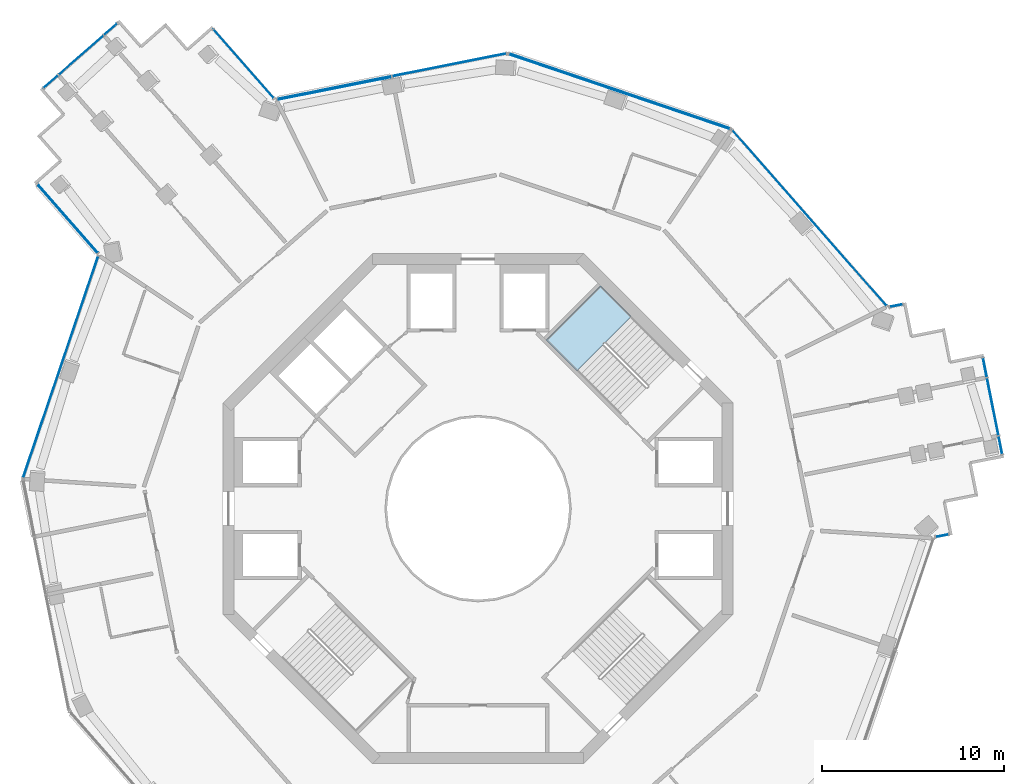
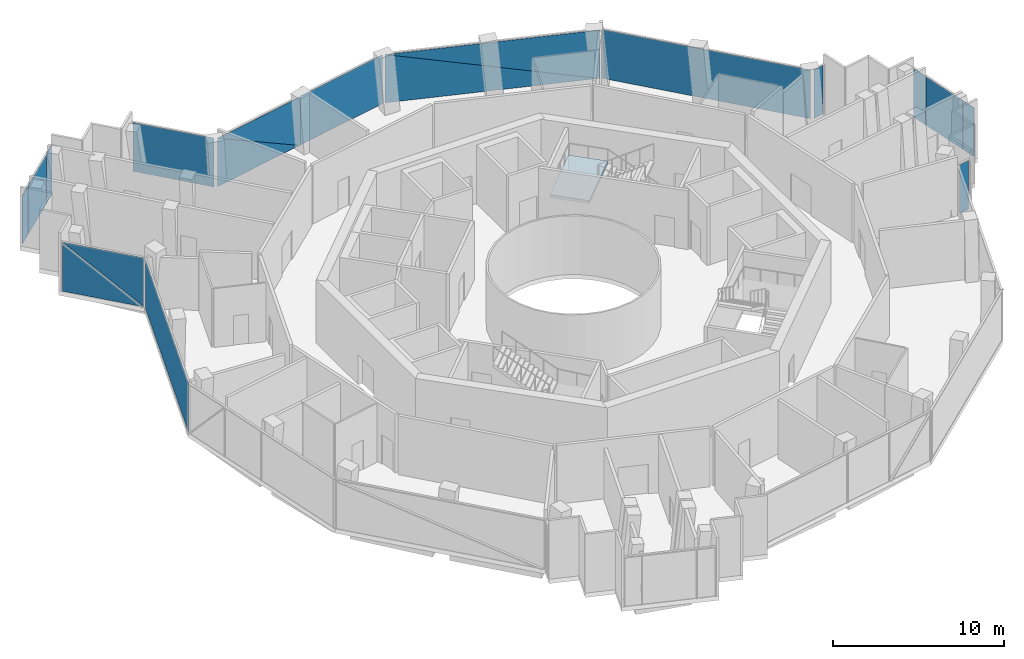
# One storey, part 10 of 17: 18 plates, 1 slab, 11 elements without a shape of their own.
"""IFC4 building model written with IfcOpenShell, lengths in metres."""

import ifcopenshell
import ifcopenshell.guid

model = None  # the IFC model being written
_history = None  # IfcOwnerHistory: only IFC2X3 demands one
_inside = {}  # id of a spatial element -> (the spatial element, [elements in it])
_under = {}  # id of a project, library or spatial element -> (it, [spatial elements below it])
_declared = {}  # id of a project -> (the project, [libraries it declares])
_typed = {}  # id of a type object -> (the type object, [elements of that type])
_made_of = {}  # id of a material, layer set ... -> (it, [elements and type objects made of it])


def new_model(schema):
    """Start an empty IFC model of exactly this schema.

    Asked for "IFC4X3", IfcOpenShell would pick the latest addendum, in which some entities
    have other attributes; the version numbers below select the first issue.
    IFC2X3 requires an IfcOwnerHistory on every rooted entity: one is made here for all.
    """
    global model, _history
    if schema == "IFC4X3":
        model = ifcopenshell.file(schema_version=(4, 3, 0, 0))
    else:
        model = ifcopenshell.file(schema=schema)
    _inside.clear()
    _under.clear()
    _declared.clear()
    _typed.clear()
    _made_of.clear()
    _history = None
    if model.schema == "IFC2X3":
        org = make("IfcOrganization", Name="unknown")
        user = make(
            "IfcPersonAndOrganization",
            ThePerson=make("IfcPerson", FamilyName="unknown"),
            TheOrganization=org,
        )
        app = make(
            "IfcApplication",
            ApplicationDeveloper=org,
            Version="unknown",
            ApplicationFullName="unknown",
            ApplicationIdentifier="unknown",
        )
        _history = make(
            "IfcOwnerHistory",
            OwningUser=user,
            OwningApplication=app,
            ChangeAction="ADDED",
            CreationDate=0,
        )
    return model


def make(cls, **values):
    """One entity of the class cls with the attributes given. An attribute that is None is left unset."""
    return model.create_entity(
        cls, **{name: value for name, value in values.items() if value is not None}
    )


def rooted(cls, **values):
    """An entity with a GlobalId (a new one), such as an element, a storey or a relation."""
    return make(cls, GlobalId=ifcopenshell.guid.new(), OwnerHistory=_history, **values)


def si_unit(unit_type, name, prefix=None):
    """IfcSIUnit, for example si_unit("LENGTHUNIT", "METRE", prefix="MILLI")."""
    return make("IfcSIUnit", UnitType=unit_type, Prefix=prefix, Name=name)


def assignment(units):
    """IfcUnitAssignment: the units of a project."""
    return None if units is None else make("IfcUnitAssignment", Units=units)


def point(xyz):
    """IfcCartesianPoint."""
    return None if xyz is None else make("IfcCartesianPoint", Coordinates=xyz)


def direction(xyz):
    """IfcDirection."""
    return None if xyz is None else make("IfcDirection", DirectionRatios=xyz)


def frame(location, z_axis=None, x_axis=None):
    """IfcAxis2Placement3D, a coordinate frame: its origin and axes. An axis left out is left unset."""
    return make(
        "IfcAxis2Placement3D",
        Location=point(location),
        Axis=direction(z_axis),
        RefDirection=direction(x_axis),
    )


def frame_2d(location, x_axis=None):
    """IfcAxis2Placement2D, a coordinate frame in the plane: its origin and x axis."""
    return make(
        "IfcAxis2Placement2D", Location=point(location), RefDirection=direction(x_axis)
    )


def origin():
    """The frame at (0, 0, 0) with its axes left unset."""
    return frame((0.0, 0.0, 0.0))


def origin_2d():
    """The frame at (0, 0) in the plane with its x axis left unset."""
    return frame_2d((0.0, 0.0))


def place(relative_to, where):
    """IfcLocalPlacement: puts the frame where relative to a parent placement (None: the world)."""
    return make(
        "IfcLocalPlacement", PlacementRelTo=relative_to, RelativePlacement=where
    )


def context(
    kind, dimensions, precision=None, world=None, true_north=None, identifier=None
):
    """IfcGeometricRepresentationContext, for example the 3D "Model" context."""
    return make(
        "IfcGeometricRepresentationContext",
        ContextIdentifier=identifier,
        ContextType=kind,
        CoordinateSpaceDimension=dimensions,
        Precision=precision,
        WorldCoordinateSystem=world,
        TrueNorth=true_north,
    )


def subcontext(parent, identifier, kind, view, scale=None):
    """IfcGeometricRepresentationSubContext, for example "Body" below "Model"."""
    return make(
        "IfcGeometricRepresentationSubContext",
        ContextIdentifier=identifier,
        ContextType=kind,
        ParentContext=parent,
        TargetScale=scale,
        TargetView=view,
    )


def project(units=None, contexts=None):
    """IfcProject with its units and contexts."""
    return rooted(
        "IfcProject",
        Name="project",
        RepresentationContexts=contexts,
        UnitsInContext=assignment(units),
    )


def spatial(cls, under=None, at=None, **own):
    """A site, building, storey or space (cls), placed at a placement, below another one or the project."""
    s = rooted(cls, ObjectPlacement=at, **own)
    if under is not None:
        _under.setdefault(under.id(), (under, []))[1].append(s)
    return s


def polyline(points):
    """IfcPolyline through the points."""
    return make("IfcPolyline", Points=[point(p) for p in points])


def profile(cls, at=None, kind="AREA", **sizes):
    """A parametric profile (cls). Its sizes go by their IFC names, for example OverallWidth=200.0."""
    return make(cls, ProfileType=kind, Position=at, **sizes)


def rectangle(**sizes):
    """IfcRectangleProfileDef."""
    return profile("IfcRectangleProfileDef", **sizes)


def outline(outer, holes=None, kind="AREA"):
    """IfcArbitraryClosedProfileDef: a profile drawn as a closed curve; with holes, ...WithVoids."""
    if holes is None:
        return make("IfcArbitraryClosedProfileDef", ProfileType=kind, OuterCurve=outer)
    return make(
        "IfcArbitraryProfileDefWithVoids",
        ProfileType=kind,
        OuterCurve=outer,
        InnerCurves=holes,
    )


def extrude(swept, where, along, depth):
    """IfcExtrudedAreaSolid: the profile swept, set in the frame where, extruded along a direction by depth."""
    return make(
        "IfcExtrudedAreaSolid",
        SweptArea=swept,
        Position=where,
        ExtrudedDirection=direction(along),
        Depth=depth,
    )


def shape(context_of_items, identifier, shape_type, items):
    """IfcShapeRepresentation: the items that make up one representation, for example the "Body"."""
    return make(
        "IfcShapeRepresentation",
        ContextOfItems=context_of_items,
        RepresentationIdentifier=identifier,
        RepresentationType=shape_type,
        Items=items,
    )


def material(Name=None, Category=None):
    """IfcMaterial."""
    return make("IfcMaterial", Name=Name, Category=Category)


def layer(
    of_material, thickness, ventilated=None, Name=None, Category=None, Priority=None
):
    """IfcMaterialLayer: one layer of a wall or slab, of a material (None: an air gap)."""
    return make(
        "IfcMaterialLayer",
        Material=of_material,
        LayerThickness=thickness,
        IsVentilated=ventilated,
        Name=Name,
        Category=Category,
        Priority=Priority,
    )


def layer_set(layers, Name=None):
    """IfcMaterialLayerSet."""
    return make("IfcMaterialLayerSet", MaterialLayers=layers, LayerSetName=Name)


def made_of(thing, what):
    """Note that an element or type object is made of a material, layer set ...; save() writes the relation."""
    if what is not None:
        _made_of.setdefault(what.id(), (what, []))[1].append(thing)
    return thing


def type_object(cls, material=None, **own):
    """A type object (cls), such as IfcWallType, which elements share."""
    return made_of(rooted(cls, **own), material)


def element(
    cls,
    number,
    at=None,
    inside=None,
    cuts=None,
    type_object=None,
    material=None,
    context=None,
    identifier="Body",
    shape_type=None,
    held_by="IfcProductDefinitionShape",
    body=None,
    shapes=None,
    **own,
):
    """One element of the class cls, such as IfcWall. Its Tag is "e" and its number.

    at: its placement. inside: the storey or other place that contains it. cuts: it is an
    opening in that element (IfcRelVoidsElement). A single representation is given by context,
    identifier, shape_type and body (its items); several are given by shapes. held_by: the class
    of the entity that holds the representations. save() writes the other relations.
    """
    e = rooted(cls, Tag="e%d" % number, ObjectPlacement=at, **own)
    if body is not None:
        shapes = [shape(context, identifier, shape_type, body)]
    if shapes is not None:
        e.Representation = make(held_by, Representations=shapes)
    if inside is not None:
        _inside.setdefault(inside.id(), (inside, []))[1].append(e)
    if cuts is not None:
        rooted(
            "IfcRelVoidsElement", RelatingBuildingElement=cuts, RelatedOpeningElement=e
        )
    if type_object is not None:
        _typed.setdefault(type_object.id(), (type_object, []))[1].append(e)
    return made_of(e, material)


def aggregate(whole, parts):
    """IfcRelAggregates: a whole, such as a stair, and the parts it consists of."""
    return rooted("IfcRelAggregates", RelatingObject=whole, RelatedObjects=parts)


def save(model, path):
    """Write the relations noted so far, then the file.

    IfcRelAggregates (storeys below a building ...), IfcRelContainedInSpatialStructure (elements
    in a storey), IfcRelDefinesByType, IfcRelAssociatesMaterial and IfcRelDeclares: one each for
    every whole, place, type object, material and project.
    """
    for whole, parts in _under.values():
        aggregate(whole, parts)
    for where, things in _inside.values():
        rooted(
            "IfcRelContainedInSpatialStructure",
            RelatedElements=things,
            RelatingStructure=where,
        )
    for kind, things in _typed.values():
        rooted("IfcRelDefinesByType", RelatedObjects=things, RelatingType=kind)
    for what, things in _made_of.values():
        rooted("IfcRelAssociatesMaterial", RelatedObjects=things, RelatingMaterial=what)
    for by, libraries in _declared.values():
        rooted("IfcRelDeclares", RelatingContext=by, RelatedDefinitions=libraries)
    model.write(path)


model = new_model("IFC4")

# Units and contexts
model_context = context("Model", 3, precision=1e-05, world=origin(), true_north=direction((0.0, 1.0)))
body_context = subcontext(model_context, "Body", "Model", "MODEL_VIEW")
ifc_project = project(units=[si_unit("LENGTHUNIT", "METRE"), si_unit("AREAUNIT", "SQUARE_METRE"), si_unit("VOLUMEUNIT", "CUBIC_METRE"), si_unit("PLANEANGLEUNIT", "RADIAN"), si_unit("MASSUNIT", "GRAM", prefix="KILO")], contexts=[model_context])

# Site, building, storey
site_placement = place(None, origin())
site = spatial("IfcSite", under=ifc_project, at=site_placement, CompositionType="ELEMENT")
building_placement = place(site_placement, origin())
building = spatial("IfcBuilding", under=site, at=building_placement, Name="Verdalira Terraces Hotel", CompositionType="ELEMENT")
storey_placement = place(building_placement, frame((0.0, 0.0, 201.0)))
storey = spatial("IfcBuildingStorey", under=building, at=storey_placement, Name="L49", CompositionType="ELEMENT", Elevation=201.0)

# Curtain wall, plate
ifc_material_1 = material(Name="Clear glass", Category="glass")
ifc_layer_1 = layer(ifc_material_1, 0.179931640625)
ifc_layer_set_1 = layer_set([ifc_layer_1], Name="CW4 curtain wall")
curtain_wall_type = type_object("IfcCurtainWallType", Name="CW4 curtain wall", PredefinedType="NOTDEFINED", material=ifc_layer_set_1)
curtain_wall_1_placement = place(storey_placement, origin())
curtain_wall_1 = element("IfcCurtainWall", 1, at=curtain_wall_1_placement, inside=storey, type_object=curtain_wall_type, Name="CW4 curtain wall L49 edge 0", PredefinedType="NOTDEFINED")
ifc_material_2 = material(Name="Clear glass", Category="glass")
ifc_layer_2 = layer(ifc_material_2, 0.035888671875)
ifc_layer_set_2 = layer_set([ifc_layer_2], Name="CW4 glass unit 36")
plate_type = type_object("IfcPlateType", Name="CW4 glass unit 36", PredefinedType="CURTAIN_PANEL", material=ifc_layer_set_2)
plate_1_placement = place(storey_placement, frame((-12.86499, 24.415771, 0.0), z_axis=(0.0, 0.0, 1.0), x_axis=(-0.659739387, 0.751494472, 0.0)))
plate_1 = element("IfcPlate", 2, at=plate_1_placement, type_object=plate_type, Name="CW4 glass unit", PredefinedType="CURTAIN_PANEL", context=body_context, shape_type="SweptSolid", body=[
    extrude(rectangle(XDim=4.990234, YDim=0.035889, at=origin_2d()), origin(), (0.0, 0.0, 1.0), 3.469971),
])
aggregate(curtain_wall_1, [plate_1])

# Curtain wall, plates
curtain_wall_2_placement = place(storey_placement, origin())
curtain_wall_2 = element("IfcCurtainWall", 3, at=curtain_wall_2_placement, inside=storey, type_object=curtain_wall_type, Name="CW4 curtain wall L49 edge 5", PredefinedType="NOTDEFINED")
plate_2_placement = place(storey_placement, frame((-20.167236, 26.321777, 0.0), z_axis=(0.0, 0.0, 1.0), x_axis=(-0.751494472, -0.659739387, 0.0)))
plate_2 = element("IfcPlate", 4, at=plate_2_placement, type_object=plate_type, Name="CW4 glass unit", PredefinedType="CURTAIN_PANEL", context=body_context, shape_type="SweptSolid", body=[
    extrude(rectangle(XDim=0.949951, YDim=0.035889, at=origin_2d()), origin(), (0.0, 0.0, 1.0), 3.469971),
])
plate_3_placement = place(storey_placement, frame((-21.793701, 24.894043, 0.0), z_axis=(0.0, 0.0, 1.0), x_axis=(-0.751494472, -0.659739387, 0.0)))
plate_3 = element("IfcPlate", 5, at=plate_3_placement, type_object=plate_type, Name="CW4 glass unit", PredefinedType="CURTAIN_PANEL", context=body_context, shape_type="SweptSolid", body=[
    extrude(rectangle(XDim=3.248535, YDim=0.035889, at=origin_2d()), origin(), (0.0, 0.0, 1.0), 3.469971),
])
plate_4_placement = place(storey_placement, frame((-23.45459, 23.436035, 0.0), z_axis=(0.0, 0.0, 1.0), x_axis=(-0.751494472, -0.659739387, 0.0)))
plate_4 = element("IfcPlate", 6, at=plate_4_placement, type_object=plate_type, Name="CW4 glass unit", PredefinedType="CURTAIN_PANEL", context=body_context, shape_type="SweptSolid", body=[
    extrude(rectangle(XDim=1.041504, YDim=0.035889, at=origin_2d()), origin(), (0.0, 0.0, 1.0), 3.469971),
])
aggregate(curtain_wall_2, [plate_2, plate_3, plate_4])

curtain_wall_3_placement = place(storey_placement, origin())
curtain_wall_3 = element("IfcCurtainWall", 7, at=curtain_wall_3_placement, inside=storey, type_object=curtain_wall_type, Name="CW4 curtain wall L49 edge 10", PredefinedType="NOTDEFINED")
plate_5_placement = place(storey_placement, frame((-22.530762, 15.929932, 1.735107), z_axis=(-0.751494472, -0.659739387, 0.0), x_axis=(0.659739387, -0.751494472, 0.0)))
plate_5 = element("IfcPlate", 8, at=plate_5_placement, type_object=plate_type, Name="CW4 glass unit", PredefinedType="CURTAIN_PANEL", context=body_context, shape_type="SweptSolid", body=[
    extrude(outline(polyline([(-2.495117, -1.734863), (2.495117, -1.734863), (-2.495117, 1.734863), (-2.495117, -1.734863)])), origin(), (0.0, 0.0, 1.0), 0.035889),
])
plate_6_placement = place(storey_placement, frame((-22.50293, 15.95459, 1.735107), z_axis=(-0.751494472, -0.659739387, 0.0), x_axis=(0.659739387, -0.751494472, 0.0)))
plate_6 = element("IfcPlate", 9, at=plate_6_placement, type_object=plate_type, Name="CW4 glass unit", PredefinedType="CURTAIN_PANEL", context=body_context, shape_type="SweptSolid", body=[
    extrude(outline(polyline([(2.495117, -1.734863), (2.495117, 1.734863), (-2.495117, 1.734863), (2.495117, -1.734863)])), origin(), (0.0, 0.0, 1.0), 0.035889),
])
aggregate(curtain_wall_3, [plate_5, plate_6])

# Curtain wall, plate
curtain_wall_4_placement = place(storey_placement, origin())
curtain_wall_4 = element("IfcCurtainWall", 10, at=curtain_wall_4_placement, inside=storey, type_object=curtain_wall_type, Name="CW4 curtain wall L49 edge 11", PredefinedType="NOTDEFINED")
plate_7_placement = place(storey_placement, frame((-22.914551, 7.7771, 0.0), z_axis=(0.0, 0.0, 1.0), x_axis=(-0.32094361, -0.947098305, 0.0)))
plate_7 = element("IfcPlate", 11, at=plate_7_placement, type_object=plate_type, Name="CW4 glass unit", PredefinedType="CURTAIN_PANEL", context=body_context, shape_type="SweptSolid", body=[
    extrude(rectangle(XDim=12.8125, YDim=0.035889, at=origin_2d()), origin(), (0.0, 0.0, 1.0), 3.469971),
])
aggregate(curtain_wall_4, [plate_7])

curtain_wall_5_placement = place(storey_placement, origin())
curtain_wall_5 = element("IfcCurtainWall", 12, at=curtain_wall_5_placement, inside=storey, type_object=curtain_wall_type, Name="CW4 curtain wall L49 edge 28", PredefinedType="NOTDEFINED")
plate_8_placement = place(storey_placement, frame((25.474609, -1.48584, 0.0), z_axis=(0.0, 0.0, 1.0), x_axis=(0.980682997, 0.195603833, 0.0)))
plate_8 = element("IfcPlate", 13, at=plate_8_placement, type_object=plate_type, Name="CW4 glass unit", PredefinedType="CURTAIN_PANEL", context=body_context, shape_type="SweptSolid", body=[
    extrude(rectangle(XDim=0.702637, YDim=0.035889, at=origin_2d()), origin(), (0.0, 0.0, 1.0), 3.469971),
])
aggregate(curtain_wall_5, [plate_8])

# Curtain wall, plates
curtain_wall_6_placement = place(storey_placement, origin())
curtain_wall_6 = element("IfcCurtainWall", 14, at=curtain_wall_6_placement, inside=storey, type_object=curtain_wall_type, Name="CW4 curtain wall L49 edge 33", PredefinedType="NOTDEFINED")
plate_9_placement = place(storey_placement, frame((28.671387, 3.480957, 0.0), z_axis=(0.0, 0.0, 1.0), x_axis=(-0.195603833, 0.980682997, 0.0)))
plate_9 = element("IfcPlate", 15, at=plate_9_placement, type_object=plate_type, Name="CW4 glass unit", PredefinedType="CURTAIN_PANEL", context=body_context, shape_type="SweptSolid", body=[
    extrude(rectangle(XDim=0.980957, YDim=0.035889, at=origin_2d()), origin(), (0.0, 0.0, 1.0), 3.469971),
])
plate_10_placement = place(storey_placement, frame((28.249756, 5.594482, 0.0), z_axis=(0.0, 0.0, 1.0), x_axis=(-0.195603833, 0.980682997, 0.0)))
plate_10 = element("IfcPlate", 16, at=plate_10_placement, type_object=plate_type, Name="CW4 glass unit", PredefinedType="CURTAIN_PANEL", context=body_context, shape_type="SweptSolid", body=[
    extrude(rectangle(XDim=3.199707, YDim=0.035889, at=origin_2d()), origin(), (0.0, 0.0, 1.0), 3.469971),
])
plate_11_placement = place(storey_placement, frame((27.820557, 7.746582, 0.0), z_axis=(0.0, 0.0, 1.0), x_axis=(-0.195603833, 0.980682997, 0.0)))
plate_11 = element("IfcPlate", 17, at=plate_11_placement, type_object=plate_type, Name="CW4 glass unit", PredefinedType="CURTAIN_PANEL", context=body_context, shape_type="SweptSolid", body=[
    extrude(rectangle(XDim=1.05957, YDim=0.035889, at=origin_2d()), origin(), (0.0, 0.0, 1.0), 3.469971),
])
aggregate(curtain_wall_6, [plate_9, plate_10, plate_11])

# Curtain wall, plate
curtain_wall_7_placement = place(storey_placement, origin())
curtain_wall_7 = element("IfcCurtainWall", 18, at=curtain_wall_7_placement, inside=storey, type_object=curtain_wall_type, Name="CW4 curtain wall L49 edge 38", PredefinedType="NOTDEFINED")
plate_12_placement = place(storey_placement, frame((22.955322, 11.145508, 0.0), z_axis=(0.0, 0.0, 1.0), x_axis=(-0.980682997, -0.195603833, 0.0)))
plate_12 = element("IfcPlate", 19, at=plate_12_placement, type_object=plate_type, Name="CW4 glass unit", PredefinedType="CURTAIN_PANEL", context=body_context, shape_type="SweptSolid", body=[
    extrude(rectangle(XDim=0.702637, YDim=0.035889, at=origin_2d()), origin(), (0.0, 0.0, 1.0), 3.469971),
])
aggregate(curtain_wall_7, [plate_12])

curtain_wall_8_placement = place(storey_placement, origin())
curtain_wall_8 = element("IfcCurtainWall", 20, at=curtain_wall_8_placement, inside=storey, type_object=curtain_wall_type, Name="CW4 curtain wall L49 edge 39", PredefinedType="NOTDEFINED")
plate_13_placement = place(storey_placement, frame((18.192383, 15.956055, 0.0), z_axis=(0.0, 0.0, 1.0), x_axis=(-0.659739387, 0.751494472, 0.0)))
plate_13 = element("IfcPlate", 21, at=plate_13_placement, type_object=plate_type, Name="CW4 glass unit", PredefinedType="CURTAIN_PANEL", context=body_context, shape_type="SweptSolid", body=[
    extrude(rectangle(XDim=12.8125, YDim=0.035889, at=origin_2d()), origin(), (0.0, 0.0, 1.0), 3.469971),
])
aggregate(curtain_wall_8, [plate_13])

# Curtain wall, plates
curtain_wall_9_placement = place(storey_placement, origin())
curtain_wall_9 = element("IfcCurtainWall", 22, at=curtain_wall_9_placement, inside=storey, type_object=curtain_wall_type, Name="CW4 curtain wall L49 edge 40", PredefinedType="NOTDEFINED")
plate_14_placement = place(storey_placement, frame((7.760498, 22.901123, 1.735107), z_axis=(0.32094361, 0.947098305, 0.0), x_axis=(-0.947098305, 0.32094361, 0.0)))
plate_14 = element("IfcPlate", 23, at=plate_14_placement, type_object=plate_type, Name="CW4 glass unit", PredefinedType="CURTAIN_PANEL", context=body_context, shape_type="SweptSolid", body=[
    extrude(outline(polyline([(-6.394775, -1.734863), (6.394775, -1.734863), (6.394775, 1.734863), (-6.394775, -1.734863)])), origin(), (0.0, 0.0, 1.0), 0.035889),
])
plate_15_placement = place(storey_placement, frame((7.748779, 22.865967, 1.735107), z_axis=(0.32094361, 0.947098305, 0.0), x_axis=(-0.947098305, 0.32094361, 0.0)))
plate_15 = element("IfcPlate", 24, at=plate_15_placement, type_object=plate_type, Name="CW4 glass unit", PredefinedType="CURTAIN_PANEL", context=body_context, shape_type="SweptSolid", body=[
    extrude(outline(polyline([(-6.394775, -1.734863), (6.394775, 1.734863), (-6.394775, 1.734863), (-6.394775, -1.734863)])), origin(), (0.0, 0.0, 1.0), 0.035889),
])
aggregate(curtain_wall_9, [plate_14, plate_15])

curtain_wall_10_placement = place(storey_placement, origin())
curtain_wall_10 = element("IfcCurtainWall", 25, at=curtain_wall_10_placement, inside=storey, type_object=curtain_wall_type, Name="CW4 curtain wall L49 edge 41", PredefinedType="NOTDEFINED")
plate_16_placement = place(storey_placement, frame((-1.581787, 24.359375, 0.0), z_axis=(0.0, 0.0, 1.0), x_axis=(-0.980682997, -0.195603833, 0.0)))
plate_16 = element("IfcPlate", 26, at=plate_16_placement, type_object=plate_type, Name="CW4 glass unit", PredefinedType="CURTAIN_PANEL", context=body_context, shape_type="SweptSolid", body=[
    extrude(rectangle(XDim=6.362305, YDim=0.035889, at=origin_2d()), origin(), (0.0, 0.0, 1.0), 3.469971),
])
plate_17_placement = place(storey_placement, frame((-7.892578, 23.08252, 1.735107), z_axis=(-0.195603833, 0.980682997, 0.0), x_axis=(-0.980682997, -0.195603833, 0.0)))
plate_17 = element("IfcPlate", 27, at=plate_17_placement, type_object=plate_type, Name="CW4 glass unit", PredefinedType="CURTAIN_PANEL", context=body_context, shape_type="SweptSolid", body=[
    extrude(outline(polyline([(-3.192627, -1.734863), (3.192627, -1.734863), (3.192627, 1.734863), (-3.192627, -1.734863)])), origin(), (0.0, 0.0, 1.0), 0.035889),
])
plate_18_placement = place(storey_placement, frame((-7.885254, 23.046143, 1.735107), z_axis=(-0.195603833, 0.980682997, 0.0), x_axis=(-0.980682997, -0.195603833, 0.0)))
plate_18 = element("IfcPlate", 28, at=plate_18_placement, type_object=plate_type, Name="CW4 glass unit", PredefinedType="CURTAIN_PANEL", context=body_context, shape_type="SweptSolid", body=[
    extrude(outline(polyline([(-3.192627, -1.734863), (3.192627, 1.734863), (-3.192627, 1.734863), (-3.192627, -1.734863)])), origin(), (0.0, 0.0, 1.0), 0.035889),
])
aggregate(curtain_wall_10, [plate_16, plate_17, plate_18])

# Stair, slab
ifc_material_3 = material(Name="Concrete C40", Category="concrete")
stair_type = type_object("IfcStairType", Name="Core stair 26 risers 2050 mm wide", PredefinedType="HALF_TURN_STAIR", material=ifc_material_3)
stair_placement = place(storey_placement, origin())
stair = element("IfcStair", 29, at=stair_placement, inside=storey, type_object=stair_type, Name="L49 Exit stair ST1", PredefinedType="HALF_TURN_STAIR")
ifc_material_4 = material(Name="Concrete C40", Category="concrete")
ifc_layer_3 = layer(ifc_material_4, 0.199951171875)
ifc_layer_set_3 = layer_set([ifc_layer_3], Name="Core stair landing 200 mm")
slab_type = type_object("IfcSlabType", Name="Core stair landing 200 mm", PredefinedType="LANDING", material=ifc_layer_set_3)
slab_placement = place(storey_placement, frame((0.0, 0.0, 2.050049)))
slab = element("IfcSlab", 30, at=slab_placement, type_object=slab_type, Name="ST1 landing 1", PredefinedType="LANDING", context=body_context, shape_type="SweptSolid", body=[
    extrude(outline(polyline([(8.407959, 10.542725), (6.717529, 12.23291), (3.747559, 9.263184), (5.437988, 7.572754), (8.407959, 10.542725)])), origin(), (0.0, 0.0, 1.0), 0.199951),
])
aggregate(stair, [slab])

save(model, "model.ifc")
